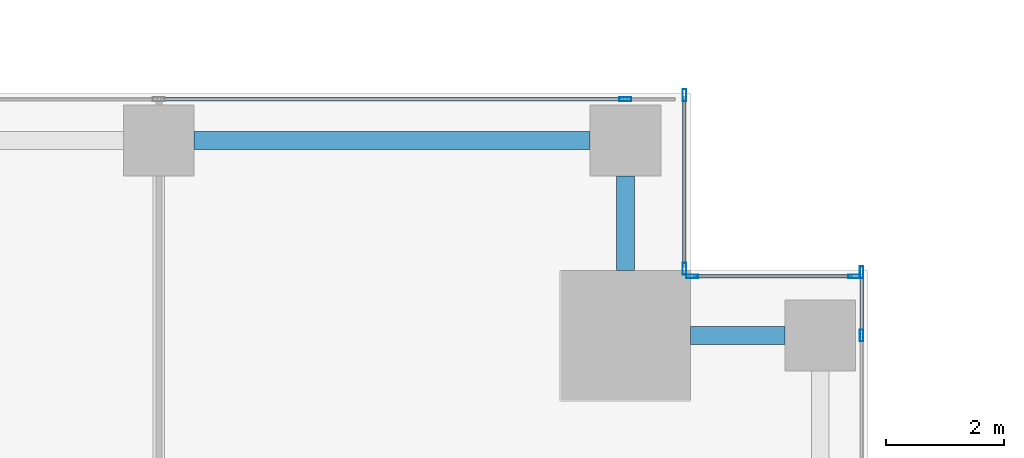
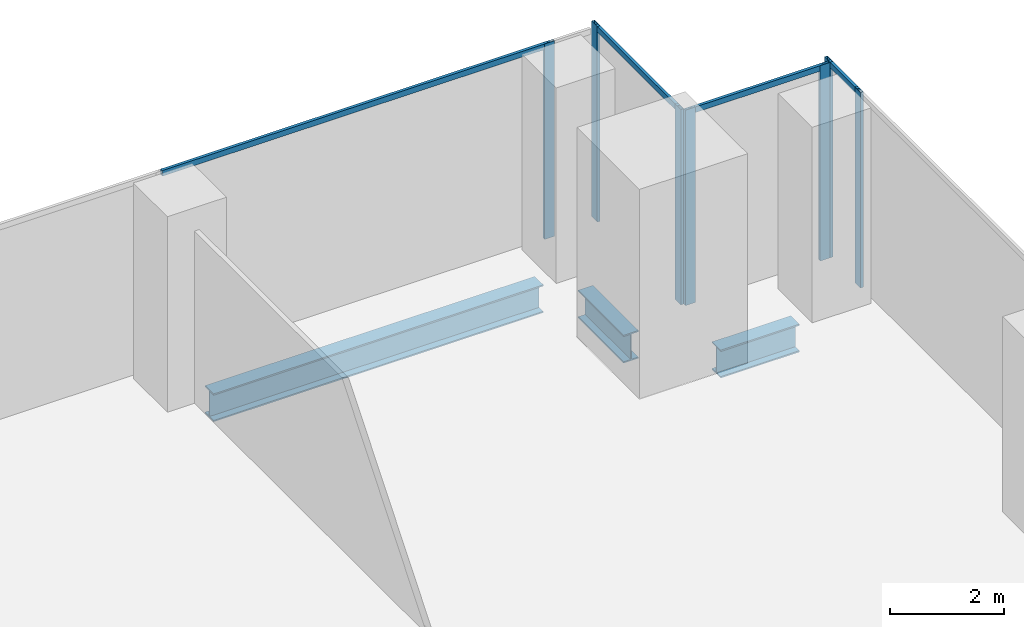
# One storey, part 20 of 33: 11 members, 3 beams, 4 elements without a shape of their own.
"""IFC4 building model written with IfcOpenShell, lengths in metres."""

from ifc_helpers import new_model, si_unit, direction, frame, origin, origin_2d, place, context, subcontext, project, spatial, hollow_rectangle, i_section, extrude, source, transform, mapped, material, material_profile, profile_set, type_object, element, aggregate, save


model = new_model("IFC4")

# Units and contexts
model_context = context("Model", 3, precision=1e-05, world=origin(), true_north=direction((0.0, 1.0)))
body_context = subcontext(model_context, "Body", "Model", "MODEL_VIEW")
ifc_project = project(units=[si_unit("LENGTHUNIT", "METRE"), si_unit("AREAUNIT", "SQUARE_METRE"), si_unit("VOLUMEUNIT", "CUBIC_METRE"), si_unit("PLANEANGLEUNIT", "RADIAN"), si_unit("MASSUNIT", "GRAM", prefix="KILO")], contexts=[model_context])

# Site, building, storey
site_placement = place(None, origin())
site = spatial("IfcSite", under=ifc_project, at=site_placement, CompositionType="ELEMENT")
building_placement = place(site_placement, origin())
building = spatial("IfcBuilding", under=site, at=building_placement, Name="Khomas Fold Tower", CompositionType="ELEMENT")
storey_placement = place(building_placement, frame((0.0, 0.0, 82.5)))
storey = spatial("IfcBuildingStorey", under=building, at=storey_placement, Name="L17", CompositionType="ELEMENT", Elevation=82.5)

# Beams
ifc_material_1 = material(Name="Steel S355", Category="steel")
ifc_material_profile_1 = material_profile(ifc_material_1, i_section(OverallWidth=0.300048828125, OverallDepth=0.60009765625, WebThickness=0.015380859375, FlangeThickness=0.030029296875, at=origin_2d()), Name="HE 600 B")
ifc_profile_set_1 = profile_set([ifc_material_profile_1], Name="Steel S355")
beam_type = type_object("IfcBeamType", Name="HE 600 B spandrel SB1", PredefinedType="SPANDREL", material=ifc_profile_set_1)
shared_shape_1 = source(origin(), body_context, "Body", "SweptSolid", [
    extrude(i_section(OverallWidth=0.300048828125, OverallDepth=0.60009765625, WebThickness=0.015380859375, FlangeThickness=0.030029296875, at=origin_2d()), origin(), (0.0, 0.0, 1.0), 6.699951171875),
])
beam_placement = place(storey_placement, frame((42.60009765625, 53.199951171875, -0.60009765625), z_axis=(1.0, 0.0, 0.0), x_axis=(0.0, 1.0, 0.0)))
element("IfcBeam", 1, at=beam_placement, inside=storey, type_object=beam_type, Name="SB1", PredefinedType="SPANDREL", context=body_context, shape_type="MappedRepresentation", body=[
    mapped(shared_shape_1, transform((0.0, 0.0, 0.0))),
])
shared_shape_2 = source(origin(), body_context, "Body", "SweptSolid", [
    extrude(i_section(OverallWidth=0.300048828125, OverallDepth=0.60009765625, WebThickness=0.015380859375, FlangeThickness=0.030029296875, at=origin_2d()), origin(), (0.0, 0.0, 1.0), 1.60009765625),
])
for number, where, z_axis, x_axis, name in (
    (2, (51.0, 49.89990234375, -0.60009765625), (1.0, 0.0, 0.0), (0.0, 1.0, 0.0), "SB1"),
    (3, (49.89990234375, 51.0, -0.60009765625), (0.0, 1.0, 0.0), (-1.0, 0.0, 0.0), "SB1"),
):
    element("IfcBeam", number, at=place(storey_placement, frame(where, z_axis=z_axis, x_axis=x_axis)), inside=storey, type_object=beam_type, Name=name, PredefinedType="SPANDREL", context=body_context, shape_type="MappedRepresentation", body=[
        mapped(shared_shape_2, transform((0.0, 0.0, 0.0))),
    ])

# Curtain wall, member
ifc_material_2 = material(Name="Aluminium framed double glazing", Category="aluminium")
curtain_wall_type = type_object("IfcCurtainWallType", Name="SK-Unitised clear-glass wall, growing floors CW1", PredefinedType="NOTDEFINED", material=ifc_material_2)
curtain_wall_1_placement = place(storey_placement, origin())
curtain_wall_1 = element("IfcCurtainWall", 4, at=curtain_wall_1_placement, inside=storey, type_object=curtain_wall_type, Name="CW1 run L17 06-0", PredefinedType="NOTDEFINED")
ifc_material_3 = material(Name="Aluminium", Category="aluminium")
ifc_material_profile_2 = material_profile(ifc_material_3, hollow_rectangle(XDim=0.06005859375, YDim=0.1201171875, WallThickness=0.00390625, at=origin_2d()), Name="SK-Unitised clear-glass wall, growing floors transom CW1-T")
ifc_profile_set_2 = profile_set([ifc_material_profile_2], Name="Aluminium")
member_type_1 = type_object("IfcMemberType", Name="SK-Unitised clear-glass wall, growing floors transom CW1-T", PredefinedType="USERDEFINED", material=ifc_profile_set_2)
shared_shape_3 = source(origin(), body_context, "Body", "SweptSolid", [
    extrude(hollow_rectangle(XDim=0.06005859375, YDim=0.1201171875, WallThickness=0.00390625, at=origin_2d()), origin(), (0.0, 0.0, 1.0), 7.840087890625),
])
member_1_placement = place(storey_placement, frame((49.8701171875, 53.89990234375, 4.139892578125), z_axis=(-1.0, 0.0, 0.0), x_axis=(0.0, -1.0, 0.0)))
member_1 = element("IfcMember", 5, at=member_1_placement, type_object=member_type_1, Name="CW1 transom 2", ObjectType="TRANSOM", PredefinedType="USERDEFINED", context=body_context, shape_type="MappedRepresentation", body=[
    mapped(shared_shape_3, transform((0.0, 0.0, 0.0))),
])

curtain_wall_2_placement = place(storey_placement, origin())
curtain_wall_2 = element("IfcCurtainWall", 6, at=curtain_wall_2_placement, inside=storey, type_object=curtain_wall_type, Name="CW1 run L17 03-1", PredefinedType="NOTDEFINED")
shared_shape_4 = source(origin(), body_context, "Body", "SweptSolid", [
    extrude(hollow_rectangle(XDim=0.06005859375, YDim=0.1201171875, WallThickness=0.00390625, at=origin_2d()), origin(), (0.0, 0.0, 1.0), 1.010009765625),
])
member_2_placement = place(storey_placement, frame((53.89990234375, 49.929931640625, 4.139892578125), z_axis=(0.0, 1.0, 0.0), x_axis=(-1.0, 0.0, 0.0)))
member_2 = element("IfcMember", 7, at=member_2_placement, type_object=member_type_1, Name="CW1 transom 5", ObjectType="TRANSOM", PredefinedType="USERDEFINED", context=body_context, shape_type="MappedRepresentation", body=[
    mapped(shared_shape_4, transform((0.0, 0.0, 0.0))),
])

curtain_wall_3_placement = place(storey_placement, origin())
curtain_wall_3 = element("IfcCurtainWall", 8, at=curtain_wall_3_placement, inside=storey, type_object=curtain_wall_type, Name="CW1 corner return L17 04", PredefinedType="NOTDEFINED")
shared_shape_5 = source(origin(), body_context, "Body", "SweptSolid", [
    extrude(hollow_rectangle(XDim=0.06005859375, YDim=0.1201171875, WallThickness=0.00390625, at=origin_2d()), origin(), (0.0, 0.0, 1.0), 2.679931640625),
])
member_3_placement = place(storey_placement, frame((53.739990234375, 50.89990234375, 4.139892578125), z_axis=(-1.0, 0.0, 0.0), x_axis=(0.0, -1.0, 0.0)))
member_3 = element("IfcMember", 9, at=member_3_placement, type_object=member_type_1, Name="CW1 transom 1", ObjectType="TRANSOM", PredefinedType="USERDEFINED", context=body_context, shape_type="MappedRepresentation", body=[
    mapped(shared_shape_5, transform((0.0, 0.0, 0.0))),
])

curtain_wall_4_placement = place(storey_placement, origin())
curtain_wall_4 = element("IfcCurtainWall", 10, at=curtain_wall_4_placement, inside=storey, type_object=curtain_wall_type, Name="CW1 corner return L17 05", PredefinedType="NOTDEFINED")
shared_shape_6 = source(origin(), body_context, "Body", "SweptSolid", [
    extrude(hollow_rectangle(XDim=0.06005859375, YDim=0.1201171875, WallThickness=0.00390625, at=origin_2d()), origin(), (0.0, 0.0, 1.0), 2.8798828125),
])
member_4_placement = place(storey_placement, frame((50.89990234375, 51.06005859375, 4.139892578125), z_axis=(0.0, 1.0, 0.0), x_axis=(-1.0, 0.0, 0.0)))
member_4 = element("IfcMember", 11, at=member_4_placement, type_object=member_type_1, Name="CW1 transom 1", ObjectType="TRANSOM", PredefinedType="USERDEFINED", context=body_context, shape_type="MappedRepresentation", body=[
    mapped(shared_shape_6, transform((0.0, 0.0, 0.0))),
])

# Member
ifc_material_4 = material(Name="Aluminium", Category="aluminium")
ifc_material_profile_3 = material_profile(ifc_material_4, hollow_rectangle(XDim=0.06005859375, YDim=0.199951171875, WallThickness=0.00390625, at=origin_2d()), Name="SK-Unitised clear-glass wall, growing floors mullion CW1-M")
ifc_profile_set_3 = profile_set([ifc_material_profile_3], Name="Aluminium")
member_type_2 = type_object("IfcMemberType", Name="SK-Unitised clear-glass wall, growing floors mullion CW1-M", PredefinedType="MULLION", material=ifc_profile_set_3)
shared_shape_7 = source(origin(), body_context, "Body", "SweptSolid", [
    extrude(hollow_rectangle(XDim=0.06005859375, YDim=0.199951171875, WallThickness=0.00390625, at=origin_2d()), origin(), (0.0, 0.0, 1.0), 4.199951171875),
])
member_5_placement = place(storey_placement, frame((53.89990234375, 49.89990234375, 0.0), z_axis=(0.0, 0.0, 1.0), x_axis=(-1.0, 0.0, 0.0)))
member_5 = element("IfcMember", 12, at=member_5_placement, type_object=member_type_2, Name="CW1 mullion 5", PredefinedType="MULLION", context=body_context, shape_type="MappedRepresentation", body=[
    mapped(shared_shape_7, transform((0.0, 0.0, 0.0))),
])

member_6_placement = place(storey_placement, frame((53.89990234375, 50.969970703125, 0.0), z_axis=(0.0, 0.0, 1.0), x_axis=(-1.0, 0.0, 0.0)))
member_6 = element("IfcMember", 13, at=member_6_placement, type_object=member_type_2, Name="CW1 mullion 6", PredefinedType="MULLION", context=body_context, shape_type="MappedRepresentation", body=[
    mapped(shared_shape_7, transform((0.0, 0.0, 0.0))),
])

aggregate(curtain_wall_2, [member_5, member_6, member_2])

member_7_placement = place(storey_placement, frame((53.77001953125, 50.89990234375, 0.0), z_axis=(0.0, 0.0, 1.0), x_axis=(0.0, -1.0, 0.0)))
member_7 = element("IfcMember", 14, at=member_7_placement, type_object=member_type_2, Name="CW1 mullion 1", PredefinedType="MULLION", context=body_context, shape_type="MappedRepresentation", body=[
    mapped(shared_shape_7, transform((0.0, 0.0, 0.0))),
])

member_8_placement = place(storey_placement, frame((51.030029296875, 50.89990234375, 0.0), z_axis=(0.0, 0.0, 1.0), x_axis=(0.0, -1.0, 0.0)))
member_8 = element("IfcMember", 15, at=member_8_placement, type_object=member_type_2, Name="CW1 mullion 2", PredefinedType="MULLION", context=body_context, shape_type="MappedRepresentation", body=[
    mapped(shared_shape_7, transform((0.0, 0.0, 0.0))),
])

aggregate(curtain_wall_3, [member_7, member_8, member_3])

member_9_placement = place(storey_placement, frame((50.89990234375, 51.030029296875, 0.0), z_axis=(0.0, 0.0, 1.0), x_axis=(-1.0, 0.0, 0.0)))
member_9 = element("IfcMember", 16, at=member_9_placement, type_object=member_type_2, Name="CW1 mullion 1", PredefinedType="MULLION", context=body_context, shape_type="MappedRepresentation", body=[
    mapped(shared_shape_7, transform((0.0, 0.0, 0.0))),
])

member_10_placement = place(storey_placement, frame((50.89990234375, 53.969970703125, 0.0), z_axis=(0.0, 0.0, 1.0), x_axis=(-1.0, 0.0, 0.0)))
member_10 = element("IfcMember", 17, at=member_10_placement, type_object=member_type_2, Name="CW1 mullion 2", PredefinedType="MULLION", context=body_context, shape_type="MappedRepresentation", body=[
    mapped(shared_shape_7, transform((0.0, 0.0, 0.0))),
])

aggregate(curtain_wall_4, [member_9, member_10, member_4])

member_11_placement = place(storey_placement, frame((49.89990234375, 53.89990234375, 0.0), z_axis=(0.0, 0.0, 1.0), x_axis=(0.0, -1.0, 0.0)))
member_11 = element("IfcMember", 18, at=member_11_placement, type_object=member_type_2, Name="CW1 mullion 2", PredefinedType="MULLION", context=body_context, shape_type="MappedRepresentation", body=[
    mapped(shared_shape_7, transform((0.0, 0.0, 0.0))),
])

aggregate(curtain_wall_1, [member_11, member_1])

save(model, "model.ifc")
